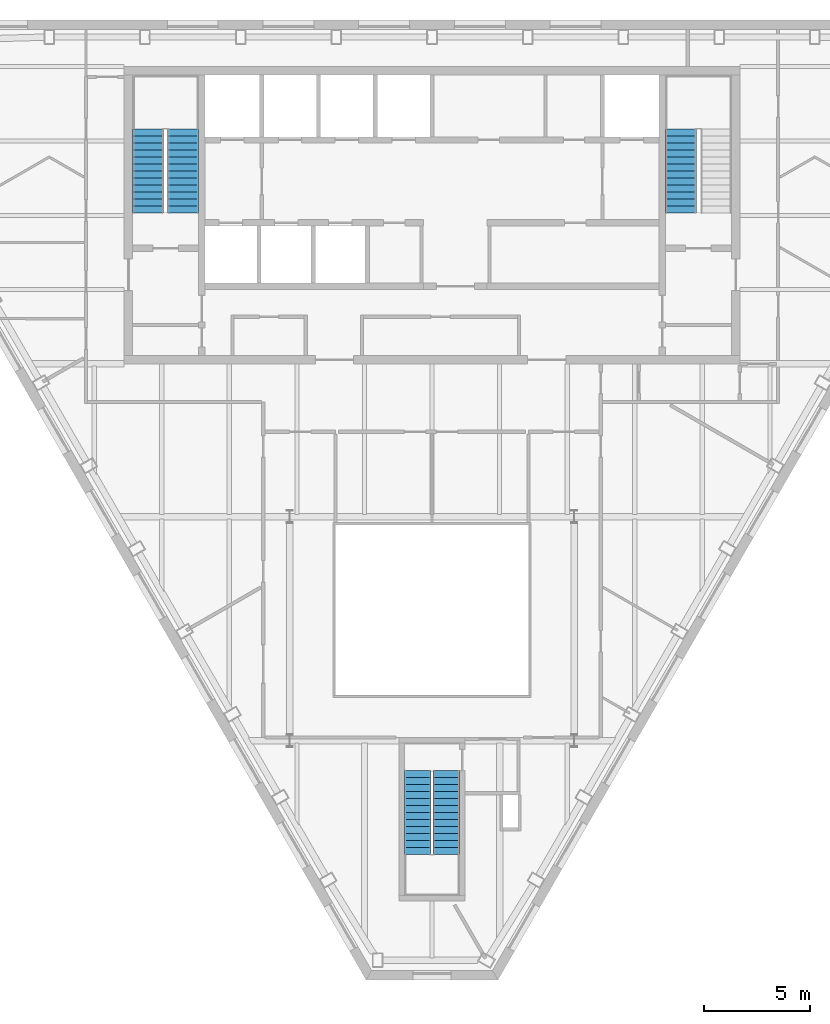
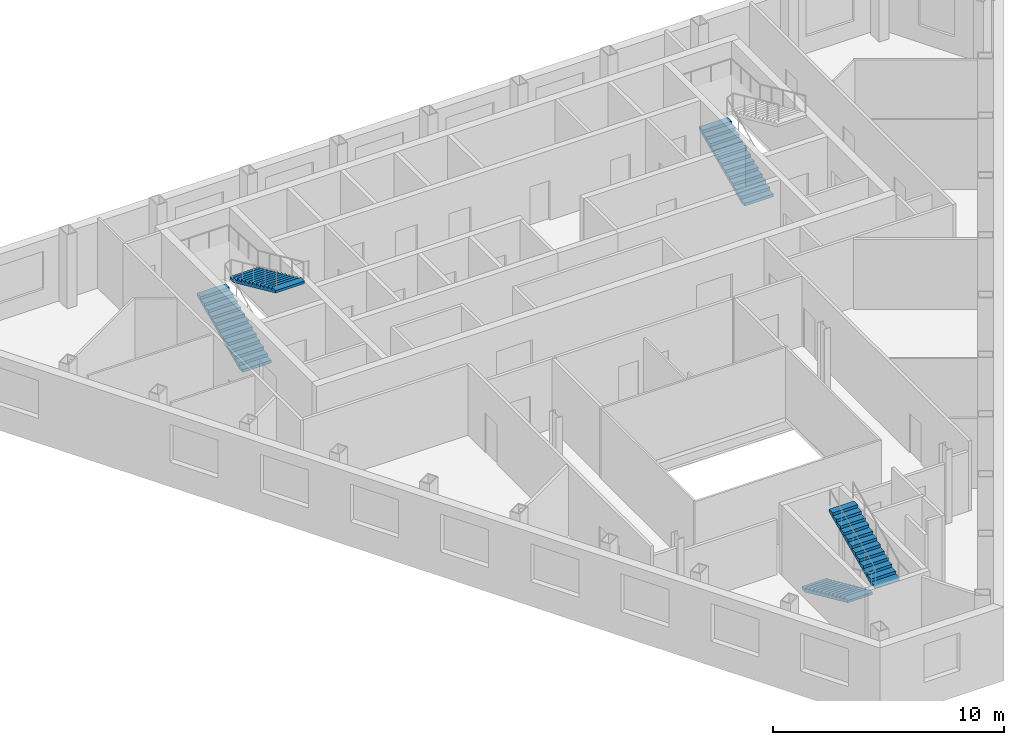
# One storey, part 8 of 10: 5 stair flights, 3 elements without a shape of their own.
"""IFC4 building model written with IfcOpenShell, lengths in metres."""

from ifc_helpers import new_model, si_unit, direction, frame, origin, place, context, subcontext, project, spatial, polygons, material, type_object, element, aggregate, save


model = new_model("IFC4")

# Units and contexts
model_context = context("Model", 3, precision=1e-05, world=origin(), true_north=direction((0.0, 1.0)))
body_context = subcontext(model_context, "Body", "Model", "MODEL_VIEW")
ifc_project = project(units=[si_unit("LENGTHUNIT", "METRE"), si_unit("AREAUNIT", "SQUARE_METRE"), si_unit("VOLUMEUNIT", "CUBIC_METRE"), si_unit("PLANEANGLEUNIT", "RADIAN"), si_unit("MASSUNIT", "GRAM", prefix="KILO")], contexts=[model_context])

# Site, building, storey
site_placement = place(None, origin())
site = spatial("IfcSite", under=ifc_project, at=site_placement, CompositionType="ELEMENT")
building_placement = place(site_placement, origin())
building = spatial("IfcBuilding", under=site, at=building_placement, Name="Njiva Tower", CompositionType="ELEMENT")
storey_placement = place(building_placement, frame((0.0, 0.0, 249.3)))
storey = spatial("IfcBuildingStorey", under=building, at=storey_placement, Name="L56", CompositionType="ELEMENT", Elevation=249.3)

# Stair, stair flights
ifc_material = material(Name="Concrete C40/50", Category="concrete")
stair_type_1 = type_object("IfcStairType", Name="ST1 Exit stair 1250", PredefinedType="HALF_TURN_STAIR", material=ifc_material)
stair_1_placement = place(storey_placement, origin())
stair_1 = element("IfcStair", 1, at=stair_1_placement, inside=storey, type_object=stair_type_1, Name="Stair C", PredefinedType="HALF_TURN_STAIR")
stair_flight_type_1 = type_object("IfcStairFlightType", Name="FL1 Stair flight 1250", PredefinedType="STRAIGHT", material=ifc_material)
stair_flight_1_placement = place(storey_placement, frame((-0.675, -15.16, 0.0), z_axis=(0.0, 0.0, 1.0), x_axis=(0.0, -1.0, 0.0)))
stair_flight_1 = element("IfcStairFlight", 2, at=stair_flight_1_placement, type_object=stair_flight_type_1, Name="ST-C flight 1", NumberOfRisers=13, NumberOfTreads=12, PredefinedType="STRAIGHT", RiserHeight=0.15, TreadLength=0.33, context=body_context, shape_type="Tessellation", body=[
    polygons([(0.0, 0.625, 0.0), (0.0, 0.3125, 0.0), (0.0, 0.0, 0.0), (0.0, -0.3125, 0.0), (0.0, -0.625, 0.0), (0.0, 0.625, 0.15), (0.0, 0.3125, 0.15), (0.0, 0.0, 0.15), (0.0, -0.3125, 0.15), (0.0, -0.625, 0.15), (0.33, 0.625, 0.15), (0.33, 0.3125, 0.15), (0.33, 0.0, 0.15), (0.33, -0.3125, 0.15), (0.33, -0.625, 0.15), (0.33, 0.625, 0.3), (0.33, 0.3125, 0.3), (0.33, 0.0, 0.3), (0.33, -0.3125, 0.3), (0.33, -0.625, 0.3), (0.66, 0.625, 0.3), (0.66, 0.3125, 0.3), (0.66, 0.0, 0.3), (0.66, -0.3125, 0.3), (0.66, -0.625, 0.3), (0.66, 0.625, 0.45), (0.66, 0.3125, 0.45), (0.66, 0.0, 0.45), (0.66, -0.3125, 0.45), (0.66, -0.625, 0.45), (0.99, 0.625, 0.45), (0.99, 0.3125, 0.45), (0.99, 0.0, 0.45), (0.99, -0.3125, 0.45), (0.99, -0.625, 0.45), (0.99, 0.625, 0.6), (0.99, 0.3125, 0.6), (0.99, 0.0, 0.6), (0.99, -0.3125, 0.6), (0.99, -0.625, 0.6), (1.32, 0.625, 0.6), (1.32, 0.3125, 0.6), (1.32, 0.0, 0.6), (1.32, -0.3125, 0.6), (1.32, -0.625, 0.6), (1.32, 0.625, 0.75), (1.32, 0.3125, 0.75), (1.32, 0.0, 0.75), (1.32, -0.3125, 0.75), (1.32, -0.625, 0.75), (1.65, 0.625, 0.75), (1.65, 0.3125, 0.75), (1.65, 0.0, 0.75), (1.65, -0.3125, 0.75), (1.65, -0.625, 0.75), (1.65, 0.625, 0.9), (1.65, 0.3125, 0.9), (1.65, 0.0, 0.9), (1.65, -0.3125, 0.9), (1.65, -0.625, 0.9), (1.98, 0.625, 0.9), (1.98, 0.3125, 0.9), (1.98, 0.0, 0.9), (1.98, -0.3125, 0.9), (1.98, -0.625, 0.9), (1.98, 0.625, 1.05), (1.98, 0.3125, 1.05), (1.98, 0.0, 1.05), (1.98, -0.3125, 1.05), (1.98, -0.625, 1.05), (2.31, 0.625, 1.05), (2.31, 0.3125, 1.05), (2.31, 0.0, 1.05), (2.31, -0.3125, 1.05), (2.31, -0.625, 1.05), (2.31, 0.625, 1.2), (2.31, 0.3125, 1.2), (2.31, 0.0, 1.2), (2.31, -0.3125, 1.2), (2.31, -0.625, 1.2), (2.64, 0.625, 1.2), (2.64, 0.3125, 1.2), (2.64, 0.0, 1.2), (2.64, -0.3125, 1.2), (2.64, -0.625, 1.2), (2.64, 0.625, 1.35), (2.64, 0.3125, 1.35), (2.64, 0.0, 1.35), (2.64, -0.3125, 1.35), (2.64, -0.625, 1.35), (2.97, 0.625, 1.35), (2.97, 0.3125, 1.35), (2.97, 0.0, 1.35), (2.97, -0.3125, 1.35), (2.97, -0.625, 1.35), (2.97, 0.625, 1.5), (2.97, 0.3125, 1.5), (2.97, 0.0, 1.5), (2.97, -0.3125, 1.5), (2.97, -0.625, 1.5), (3.3, 0.625, 1.5), (3.3, 0.3125, 1.5), (3.3, 0.0, 1.5), (3.3, -0.3125, 1.5), (3.3, -0.625, 1.5), (3.3, 0.625, 1.65), (3.3, 0.3125, 1.65), (3.3, 0.0, 1.65), (3.3, -0.3125, 1.65), (3.3, -0.625, 1.65), (3.63, 0.625, 1.65), (3.63, 0.3125, 1.65), (3.63, 0.0, 1.65), (3.63, -0.3125, 1.65), (3.63, -0.625, 1.65), (3.63, 0.625, 1.8), (3.63, 0.3125, 1.8), (3.63, 0.0, 1.8), (3.63, -0.3125, 1.8), (3.63, -0.625, 1.8), (3.96, 0.625, 1.8), (3.96, 0.3125, 1.8), (3.96, 0.0, 1.8), (3.96, -0.3125, 1.8), (3.96, -0.625, 1.8), (3.96, 0.625, 1.6682), (3.96, 0.3125, 1.6682), (3.96, 0.0, 1.6682), (3.96, -0.3125, 1.6682), (3.96, -0.625, 1.6682), (0.29, 0.625, 0.0), (0.29, 0.3125, 0.0), (0.29, 0.0, 0.0), (0.29, -0.3125, 0.0), (0.29, -0.625, 0.0)], [[[1, 6, 11, 16, 21, 26, 31, 36, 41, 46, 51, 56, 61, 66, 71, 76, 81, 86, 91, 96, 101, 106, 111, 116, 121, 126, 131]], [[135, 130, 125, 120, 115, 110, 105, 100, 95, 90, 85, 80, 75, 70, 65, 60, 55, 50, 45, 40, 35, 30, 25, 20, 15, 10, 5]], [[6, 1, 2, 7]], [[7, 2, 3, 8]], [[8, 3, 4, 9]], [[9, 4, 5, 10]], [[11, 6, 7, 12]], [[12, 7, 8, 13]], [[13, 8, 9, 14]], [[14, 9, 10, 15]], [[16, 11, 12, 17]], [[17, 12, 13, 18]], [[18, 13, 14, 19]], [[19, 14, 15, 20]], [[21, 16, 17, 22]], [[22, 17, 18, 23]], [[23, 18, 19, 24]], [[24, 19, 20, 25]], [[26, 21, 22, 27]], [[27, 22, 23, 28]], [[28, 23, 24, 29]], [[29, 24, 25, 30]], [[31, 26, 27, 32]], [[32, 27, 28, 33]], [[33, 28, 29, 34]], [[34, 29, 30, 35]], [[36, 31, 32, 37]], [[37, 32, 33, 38]], [[38, 33, 34, 39]], [[39, 34, 35, 40]], [[41, 36, 37, 42]], [[42, 37, 38, 43]], [[43, 38, 39, 44]], [[44, 39, 40, 45]], [[46, 41, 42, 47]], [[47, 42, 43, 48]], [[48, 43, 44, 49]], [[49, 44, 45, 50]], [[51, 46, 47, 52]], [[52, 47, 48, 53]], [[53, 48, 49, 54]], [[54, 49, 50, 55]], [[56, 51, 52, 57]], [[57, 52, 53, 58]], [[58, 53, 54, 59]], [[59, 54, 55, 60]], [[61, 56, 57, 62]], [[62, 57, 58, 63]], [[63, 58, 59, 64]], [[64, 59, 60, 65]], [[66, 61, 62, 67]], [[67, 62, 63, 68]], [[68, 63, 64, 69]], [[69, 64, 65, 70]], [[71, 66, 67, 72]], [[72, 67, 68, 73]], [[73, 68, 69, 74]], [[74, 69, 70, 75]], [[76, 71, 72, 77]], [[77, 72, 73, 78]], [[78, 73, 74, 79]], [[79, 74, 75, 80]], [[81, 76, 77, 82]], [[82, 77, 78, 83]], [[83, 78, 79, 84]], [[84, 79, 80, 85]], [[86, 81, 82, 87]], [[87, 82, 83, 88]], [[88, 83, 84, 89]], [[89, 84, 85, 90]], [[91, 86, 87, 92]], [[92, 87, 88, 93]], [[93, 88, 89, 94]], [[94, 89, 90, 95]], [[96, 91, 92, 97]], [[97, 92, 93, 98]], [[98, 93, 94, 99]], [[99, 94, 95, 100]], [[101, 96, 97, 102]], [[102, 97, 98, 103]], [[103, 98, 99, 104]], [[104, 99, 100, 105]], [[106, 101, 102, 107]], [[107, 102, 103, 108]], [[108, 103, 104, 109]], [[109, 104, 105, 110]], [[111, 106, 107, 112]], [[112, 107, 108, 113]], [[113, 108, 109, 114]], [[114, 109, 110, 115]], [[116, 111, 112, 117]], [[117, 112, 113, 118]], [[118, 113, 114, 119]], [[119, 114, 115, 120]], [[121, 116, 117, 122]], [[122, 117, 118, 123]], [[123, 118, 119, 124]], [[124, 119, 120, 125]], [[126, 121, 122, 127]], [[127, 122, 123, 128]], [[128, 123, 124, 129]], [[129, 124, 125, 130]], [[131, 126, 127, 132]], [[132, 127, 128, 133]], [[133, 128, 129, 134]], [[134, 129, 130, 135]], [[1, 131, 132, 2]], [[2, 132, 133, 3]], [[3, 133, 134, 4]], [[4, 134, 135, 5]]], closed=True),
])
stair_flight_2_placement = place(storey_placement, frame((0.675, -19.12, 1.95), z_axis=(0.0, 0.0, 1.0), x_axis=(0.0, 1.0, 0.0)))
stair_flight_2 = element("IfcStairFlight", 3, at=stair_flight_2_placement, type_object=stair_flight_type_1, Name="ST-C flight 2", NumberOfRisers=13, NumberOfTreads=12, PredefinedType="STRAIGHT", RiserHeight=0.15, TreadLength=0.33, context=body_context, shape_type="Tessellation", body=[
    polygons([(0.0, 0.625, 0.0), (0.0, 0.3125, 0.0), (0.0, 0.0, 0.0), (0.0, -0.3125, 0.0), (0.0, -0.625, 0.0), (0.0, 0.625, 0.15), (0.0, 0.3125, 0.15), (0.0, 0.0, 0.15), (0.0, -0.3125, 0.15), (0.0, -0.625, 0.15), (0.33, 0.625, 0.15), (0.33, 0.3125, 0.15), (0.33, 0.0, 0.15), (0.33, -0.3125, 0.15), (0.33, -0.625, 0.15), (0.33, 0.625, 0.3), (0.33, 0.3125, 0.3), (0.33, 0.0, 0.3), (0.33, -0.3125, 0.3), (0.33, -0.625, 0.3), (0.66, 0.625, 0.3), (0.66, 0.3125, 0.3), (0.66, 0.0, 0.3), (0.66, -0.3125, 0.3), (0.66, -0.625, 0.3), (0.66, 0.625, 0.45), (0.66, 0.3125, 0.45), (0.66, 0.0, 0.45), (0.66, -0.3125, 0.45), (0.66, -0.625, 0.45), (0.99, 0.625, 0.45), (0.99, 0.3125, 0.45), (0.99, 0.0, 0.45), (0.99, -0.3125, 0.45), (0.99, -0.625, 0.45), (0.99, 0.625, 0.6), (0.99, 0.3125, 0.6), (0.99, 0.0, 0.6), (0.99, -0.3125, 0.6), (0.99, -0.625, 0.6), (1.32, 0.625, 0.6), (1.32, 0.3125, 0.6), (1.32, 0.0, 0.6), (1.32, -0.3125, 0.6), (1.32, -0.625, 0.6), (1.32, 0.625, 0.75), (1.32, 0.3125, 0.75), (1.32, 0.0, 0.75), (1.32, -0.3125, 0.75), (1.32, -0.625, 0.75), (1.65, 0.625, 0.75), (1.65, 0.3125, 0.75), (1.65, 0.0, 0.75), (1.65, -0.3125, 0.75), (1.65, -0.625, 0.75), (1.65, 0.625, 0.9), (1.65, 0.3125, 0.9), (1.65, 0.0, 0.9), (1.65, -0.3125, 0.9), (1.65, -0.625, 0.9), (1.98, 0.625, 0.9), (1.98, 0.3125, 0.9), (1.98, 0.0, 0.9), (1.98, -0.3125, 0.9), (1.98, -0.625, 0.9), (1.98, 0.625, 1.05), (1.98, 0.3125, 1.05), (1.98, 0.0, 1.05), (1.98, -0.3125, 1.05), (1.98, -0.625, 1.05), (2.31, 0.625, 1.05), (2.31, 0.3125, 1.05), (2.31, 0.0, 1.05), (2.31, -0.3125, 1.05), (2.31, -0.625, 1.05), (2.31, 0.625, 1.2), (2.31, 0.3125, 1.2), (2.31, 0.0, 1.2), (2.31, -0.3125, 1.2), (2.31, -0.625, 1.2), (2.64, 0.625, 1.2), (2.64, 0.3125, 1.2), (2.64, 0.0, 1.2), (2.64, -0.3125, 1.2), (2.64, -0.625, 1.2), (2.64, 0.625, 1.35), (2.64, 0.3125, 1.35), (2.64, 0.0, 1.35), (2.64, -0.3125, 1.35), (2.64, -0.625, 1.35), (2.97, 0.625, 1.35), (2.97, 0.3125, 1.35), (2.97, 0.0, 1.35), (2.97, -0.3125, 1.35), (2.97, -0.625, 1.35), (2.97, 0.625, 1.5), (2.97, 0.3125, 1.5), (2.97, 0.0, 1.5), (2.97, -0.3125, 1.5), (2.97, -0.625, 1.5), (3.3, 0.625, 1.5), (3.3, 0.3125, 1.5), (3.3, 0.0, 1.5), (3.3, -0.3125, 1.5), (3.3, -0.625, 1.5), (3.3, 0.625, 1.65), (3.3, 0.3125, 1.65), (3.3, 0.0, 1.65), (3.3, -0.3125, 1.65), (3.3, -0.625, 1.65), (3.63, 0.625, 1.65), (3.63, 0.3125, 1.65), (3.63, 0.0, 1.65), (3.63, -0.3125, 1.65), (3.63, -0.625, 1.65), (3.63, 0.625, 1.8), (3.63, 0.3125, 1.8), (3.63, 0.0, 1.8), (3.63, -0.3125, 1.8), (3.63, -0.625, 1.8), (3.96, 0.625, 1.8), (3.96, 0.3125, 1.8), (3.96, 0.0, 1.8), (3.96, -0.3125, 1.8), (3.96, -0.625, 1.8), (3.96, 0.625, 1.6682), (3.96, 0.3125, 1.6682), (3.96, 0.0, 1.6682), (3.96, -0.3125, 1.6682), (3.96, -0.625, 1.6682), (0.29, 0.625, 0.0), (0.29, 0.3125, 0.0), (0.29, 0.0, 0.0), (0.29, -0.3125, 0.0), (0.29, -0.625, 0.0)], [[[1, 6, 11, 16, 21, 26, 31, 36, 41, 46, 51, 56, 61, 66, 71, 76, 81, 86, 91, 96, 101, 106, 111, 116, 121, 126, 131]], [[135, 130, 125, 120, 115, 110, 105, 100, 95, 90, 85, 80, 75, 70, 65, 60, 55, 50, 45, 40, 35, 30, 25, 20, 15, 10, 5]], [[6, 1, 2, 7]], [[7, 2, 3, 8]], [[8, 3, 4, 9]], [[9, 4, 5, 10]], [[11, 6, 7, 12]], [[12, 7, 8, 13]], [[13, 8, 9, 14]], [[14, 9, 10, 15]], [[16, 11, 12, 17]], [[17, 12, 13, 18]], [[18, 13, 14, 19]], [[19, 14, 15, 20]], [[21, 16, 17, 22]], [[22, 17, 18, 23]], [[23, 18, 19, 24]], [[24, 19, 20, 25]], [[26, 21, 22, 27]], [[27, 22, 23, 28]], [[28, 23, 24, 29]], [[29, 24, 25, 30]], [[31, 26, 27, 32]], [[32, 27, 28, 33]], [[33, 28, 29, 34]], [[34, 29, 30, 35]], [[36, 31, 32, 37]], [[37, 32, 33, 38]], [[38, 33, 34, 39]], [[39, 34, 35, 40]], [[41, 36, 37, 42]], [[42, 37, 38, 43]], [[43, 38, 39, 44]], [[44, 39, 40, 45]], [[46, 41, 42, 47]], [[47, 42, 43, 48]], [[48, 43, 44, 49]], [[49, 44, 45, 50]], [[51, 46, 47, 52]], [[52, 47, 48, 53]], [[53, 48, 49, 54]], [[54, 49, 50, 55]], [[56, 51, 52, 57]], [[57, 52, 53, 58]], [[58, 53, 54, 59]], [[59, 54, 55, 60]], [[61, 56, 57, 62]], [[62, 57, 58, 63]], [[63, 58, 59, 64]], [[64, 59, 60, 65]], [[66, 61, 62, 67]], [[67, 62, 63, 68]], [[68, 63, 64, 69]], [[69, 64, 65, 70]], [[71, 66, 67, 72]], [[72, 67, 68, 73]], [[73, 68, 69, 74]], [[74, 69, 70, 75]], [[76, 71, 72, 77]], [[77, 72, 73, 78]], [[78, 73, 74, 79]], [[79, 74, 75, 80]], [[81, 76, 77, 82]], [[82, 77, 78, 83]], [[83, 78, 79, 84]], [[84, 79, 80, 85]], [[86, 81, 82, 87]], [[87, 82, 83, 88]], [[88, 83, 84, 89]], [[89, 84, 85, 90]], [[91, 86, 87, 92]], [[92, 87, 88, 93]], [[93, 88, 89, 94]], [[94, 89, 90, 95]], [[96, 91, 92, 97]], [[97, 92, 93, 98]], [[98, 93, 94, 99]], [[99, 94, 95, 100]], [[101, 96, 97, 102]], [[102, 97, 98, 103]], [[103, 98, 99, 104]], [[104, 99, 100, 105]], [[106, 101, 102, 107]], [[107, 102, 103, 108]], [[108, 103, 104, 109]], [[109, 104, 105, 110]], [[111, 106, 107, 112]], [[112, 107, 108, 113]], [[113, 108, 109, 114]], [[114, 109, 110, 115]], [[116, 111, 112, 117]], [[117, 112, 113, 118]], [[118, 113, 114, 119]], [[119, 114, 115, 120]], [[121, 116, 117, 122]], [[122, 117, 118, 123]], [[123, 118, 119, 124]], [[124, 119, 120, 125]], [[126, 121, 122, 127]], [[127, 122, 123, 128]], [[128, 123, 124, 129]], [[129, 124, 125, 130]], [[131, 126, 127, 132]], [[132, 127, 128, 133]], [[133, 128, 129, 134]], [[134, 129, 130, 135]], [[1, 131, 132, 2]], [[2, 132, 133, 3]], [[3, 133, 134, 4]], [[4, 134, 135, 5]]], closed=True),
])
aggregate(stair_1, [stair_flight_1, stair_flight_2])

stair_type_2 = type_object("IfcStairType", Name="ST3 Exit stair 1450", PredefinedType="HALF_TURN_STAIR", material=ifc_material)
stair_2_placement = place(storey_placement, origin())
stair_2 = element("IfcStair", 4, at=stair_2_placement, inside=storey, type_object=stair_type_2, Name="Stair A", PredefinedType="HALF_TURN_STAIR")
stair_flight_type_2 = type_object("IfcStairFlightType", Name="FL3 Stair flight 1450", PredefinedType="STRAIGHT", material=ifc_material)
stair_flight_3_placement = place(storey_placement, frame((-13.375, 11.1, 0.0), z_axis=(0.0, 0.0, 1.0), x_axis=(0.0, 1.0, 0.0)))
stair_flight_3 = element("IfcStairFlight", 5, at=stair_flight_3_placement, type_object=stair_flight_type_2, Name="ST-A flight 1", NumberOfRisers=13, NumberOfTreads=12, PredefinedType="STRAIGHT", RiserHeight=0.15, TreadLength=0.33, context=body_context, shape_type="Tessellation", body=[
    polygons([(0.0, 0.725, 0.0), (0.0, 0.3625, 0.0), (0.0, 0.0, 0.0), (0.0, -0.3625, 0.0), (0.0, -0.725, 0.0), (0.0, 0.725, 0.15), (0.0, 0.3625, 0.15), (0.0, 0.0, 0.15), (0.0, -0.3625, 0.15), (0.0, -0.725, 0.15), (0.33, 0.725, 0.15), (0.33, 0.3625, 0.15), (0.33, 0.0, 0.15), (0.33, -0.3625, 0.15), (0.33, -0.725, 0.15), (0.33, 0.725, 0.3), (0.33, 0.3625, 0.3), (0.33, 0.0, 0.3), (0.33, -0.3625, 0.3), (0.33, -0.725, 0.3), (0.66, 0.725, 0.3), (0.66, 0.3625, 0.3), (0.66, 0.0, 0.3), (0.66, -0.3625, 0.3), (0.66, -0.725, 0.3), (0.66, 0.725, 0.45), (0.66, 0.3625, 0.45), (0.66, 0.0, 0.45), (0.66, -0.3625, 0.45), (0.66, -0.725, 0.45), (0.99, 0.725, 0.45), (0.99, 0.3625, 0.45), (0.99, 0.0, 0.45), (0.99, -0.3625, 0.45), (0.99, -0.725, 0.45), (0.99, 0.725, 0.6), (0.99, 0.3625, 0.6), (0.99, 0.0, 0.6), (0.99, -0.3625, 0.6), (0.99, -0.725, 0.6), (1.32, 0.725, 0.6), (1.32, 0.3625, 0.6), (1.32, 0.0, 0.6), (1.32, -0.3625, 0.6), (1.32, -0.725, 0.6), (1.32, 0.725, 0.75), (1.32, 0.3625, 0.75), (1.32, 0.0, 0.75), (1.32, -0.3625, 0.75), (1.32, -0.725, 0.75), (1.65, 0.725, 0.75), (1.65, 0.3625, 0.75), (1.65, 0.0, 0.75), (1.65, -0.3625, 0.75), (1.65, -0.725, 0.75), (1.65, 0.725, 0.9), (1.65, 0.3625, 0.9), (1.65, 0.0, 0.9), (1.65, -0.3625, 0.9), (1.65, -0.725, 0.9), (1.98, 0.725, 0.9), (1.98, 0.3625, 0.9), (1.98, 0.0, 0.9), (1.98, -0.3625, 0.9), (1.98, -0.725, 0.9), (1.98, 0.725, 1.05), (1.98, 0.3625, 1.05), (1.98, 0.0, 1.05), (1.98, -0.3625, 1.05), (1.98, -0.725, 1.05), (2.31, 0.725, 1.05), (2.31, 0.3625, 1.05), (2.31, 0.0, 1.05), (2.31, -0.3625, 1.05), (2.31, -0.725, 1.05), (2.31, 0.725, 1.2), (2.31, 0.3625, 1.2), (2.31, 0.0, 1.2), (2.31, -0.3625, 1.2), (2.31, -0.725, 1.2), (2.64, 0.725, 1.2), (2.64, 0.3625, 1.2), (2.64, 0.0, 1.2), (2.64, -0.3625, 1.2), (2.64, -0.725, 1.2), (2.64, 0.725, 1.35), (2.64, 0.3625, 1.35), (2.64, 0.0, 1.35), (2.64, -0.3625, 1.35), (2.64, -0.725, 1.35), (2.97, 0.725, 1.35), (2.97, 0.3625, 1.35), (2.97, 0.0, 1.35), (2.97, -0.3625, 1.35), (2.97, -0.725, 1.35), (2.97, 0.725, 1.5), (2.97, 0.3625, 1.5), (2.97, 0.0, 1.5), (2.97, -0.3625, 1.5), (2.97, -0.725, 1.5), (3.3, 0.725, 1.5), (3.3, 0.3625, 1.5), (3.3, 0.0, 1.5), (3.3, -0.3625, 1.5), (3.3, -0.725, 1.5), (3.3, 0.725, 1.65), (3.3, 0.3625, 1.65), (3.3, 0.0, 1.65), (3.3, -0.3625, 1.65), (3.3, -0.725, 1.65), (3.63, 0.725, 1.65), (3.63, 0.3625, 1.65), (3.63, 0.0, 1.65), (3.63, -0.3625, 1.65), (3.63, -0.725, 1.65), (3.63, 0.725, 1.8), (3.63, 0.3625, 1.8), (3.63, 0.0, 1.8), (3.63, -0.3625, 1.8), (3.63, -0.725, 1.8), (3.96, 0.725, 1.8), (3.96, 0.3625, 1.8), (3.96, 0.0, 1.8), (3.96, -0.3625, 1.8), (3.96, -0.725, 1.8), (3.96, 0.725, 1.6682), (3.96, 0.3625, 1.6682), (3.96, 0.0, 1.6682), (3.96, -0.3625, 1.6682), (3.96, -0.725, 1.6682), (0.29, 0.725, 0.0), (0.29, 0.3625, 0.0), (0.29, 0.0, 0.0), (0.29, -0.3625, 0.0), (0.29, -0.725, 0.0)], [[[1, 6, 11, 16, 21, 26, 31, 36, 41, 46, 51, 56, 61, 66, 71, 76, 81, 86, 91, 96, 101, 106, 111, 116, 121, 126, 131]], [[135, 130, 125, 120, 115, 110, 105, 100, 95, 90, 85, 80, 75, 70, 65, 60, 55, 50, 45, 40, 35, 30, 25, 20, 15, 10, 5]], [[6, 1, 2, 7]], [[7, 2, 3, 8]], [[8, 3, 4, 9]], [[9, 4, 5, 10]], [[11, 6, 7, 12]], [[12, 7, 8, 13]], [[13, 8, 9, 14]], [[14, 9, 10, 15]], [[16, 11, 12, 17]], [[17, 12, 13, 18]], [[18, 13, 14, 19]], [[19, 14, 15, 20]], [[21, 16, 17, 22]], [[22, 17, 18, 23]], [[23, 18, 19, 24]], [[24, 19, 20, 25]], [[26, 21, 22, 27]], [[27, 22, 23, 28]], [[28, 23, 24, 29]], [[29, 24, 25, 30]], [[31, 26, 27, 32]], [[32, 27, 28, 33]], [[33, 28, 29, 34]], [[34, 29, 30, 35]], [[36, 31, 32, 37]], [[37, 32, 33, 38]], [[38, 33, 34, 39]], [[39, 34, 35, 40]], [[41, 36, 37, 42]], [[42, 37, 38, 43]], [[43, 38, 39, 44]], [[44, 39, 40, 45]], [[46, 41, 42, 47]], [[47, 42, 43, 48]], [[48, 43, 44, 49]], [[49, 44, 45, 50]], [[51, 46, 47, 52]], [[52, 47, 48, 53]], [[53, 48, 49, 54]], [[54, 49, 50, 55]], [[56, 51, 52, 57]], [[57, 52, 53, 58]], [[58, 53, 54, 59]], [[59, 54, 55, 60]], [[61, 56, 57, 62]], [[62, 57, 58, 63]], [[63, 58, 59, 64]], [[64, 59, 60, 65]], [[66, 61, 62, 67]], [[67, 62, 63, 68]], [[68, 63, 64, 69]], [[69, 64, 65, 70]], [[71, 66, 67, 72]], [[72, 67, 68, 73]], [[73, 68, 69, 74]], [[74, 69, 70, 75]], [[76, 71, 72, 77]], [[77, 72, 73, 78]], [[78, 73, 74, 79]], [[79, 74, 75, 80]], [[81, 76, 77, 82]], [[82, 77, 78, 83]], [[83, 78, 79, 84]], [[84, 79, 80, 85]], [[86, 81, 82, 87]], [[87, 82, 83, 88]], [[88, 83, 84, 89]], [[89, 84, 85, 90]], [[91, 86, 87, 92]], [[92, 87, 88, 93]], [[93, 88, 89, 94]], [[94, 89, 90, 95]], [[96, 91, 92, 97]], [[97, 92, 93, 98]], [[98, 93, 94, 99]], [[99, 94, 95, 100]], [[101, 96, 97, 102]], [[102, 97, 98, 103]], [[103, 98, 99, 104]], [[104, 99, 100, 105]], [[106, 101, 102, 107]], [[107, 102, 103, 108]], [[108, 103, 104, 109]], [[109, 104, 105, 110]], [[111, 106, 107, 112]], [[112, 107, 108, 113]], [[113, 108, 109, 114]], [[114, 109, 110, 115]], [[116, 111, 112, 117]], [[117, 112, 113, 118]], [[118, 113, 114, 119]], [[119, 114, 115, 120]], [[121, 116, 117, 122]], [[122, 117, 118, 123]], [[123, 118, 119, 124]], [[124, 119, 120, 125]], [[126, 121, 122, 127]], [[127, 122, 123, 128]], [[128, 123, 124, 129]], [[129, 124, 125, 130]], [[131, 126, 127, 132]], [[132, 127, 128, 133]], [[133, 128, 129, 134]], [[134, 129, 130, 135]], [[1, 131, 132, 2]], [[2, 132, 133, 3]], [[3, 133, 134, 4]], [[4, 134, 135, 5]]], closed=True),
])
stair_flight_4_placement = place(storey_placement, frame((-11.725, 15.06, 1.95), z_axis=(0.0, 0.0, 1.0), x_axis=(0.0, -1.0, 0.0)))
stair_flight_4 = element("IfcStairFlight", 6, at=stair_flight_4_placement, type_object=stair_flight_type_2, Name="ST-A flight 2", NumberOfRisers=13, NumberOfTreads=12, PredefinedType="STRAIGHT", RiserHeight=0.15, TreadLength=0.33, context=body_context, shape_type="Tessellation", body=[
    polygons([(0.0, 0.725, 0.0), (0.0, 0.3625, 0.0), (0.0, 0.0, 0.0), (0.0, -0.3625, 0.0), (0.0, -0.725, 0.0), (0.0, 0.725, 0.15), (0.0, 0.3625, 0.15), (0.0, 0.0, 0.15), (0.0, -0.3625, 0.15), (0.0, -0.725, 0.15), (0.33, 0.725, 0.15), (0.33, 0.3625, 0.15), (0.33, 0.0, 0.15), (0.33, -0.3625, 0.15), (0.33, -0.725, 0.15), (0.33, 0.725, 0.3), (0.33, 0.3625, 0.3), (0.33, 0.0, 0.3), (0.33, -0.3625, 0.3), (0.33, -0.725, 0.3), (0.66, 0.725, 0.3), (0.66, 0.3625, 0.3), (0.66, 0.0, 0.3), (0.66, -0.3625, 0.3), (0.66, -0.725, 0.3), (0.66, 0.725, 0.45), (0.66, 0.3625, 0.45), (0.66, 0.0, 0.45), (0.66, -0.3625, 0.45), (0.66, -0.725, 0.45), (0.99, 0.725, 0.45), (0.99, 0.3625, 0.45), (0.99, 0.0, 0.45), (0.99, -0.3625, 0.45), (0.99, -0.725, 0.45), (0.99, 0.725, 0.6), (0.99, 0.3625, 0.6), (0.99, 0.0, 0.6), (0.99, -0.3625, 0.6), (0.99, -0.725, 0.6), (1.32, 0.725, 0.6), (1.32, 0.3625, 0.6), (1.32, 0.0, 0.6), (1.32, -0.3625, 0.6), (1.32, -0.725, 0.6), (1.32, 0.725, 0.75), (1.32, 0.3625, 0.75), (1.32, 0.0, 0.75), (1.32, -0.3625, 0.75), (1.32, -0.725, 0.75), (1.65, 0.725, 0.75), (1.65, 0.3625, 0.75), (1.65, 0.0, 0.75), (1.65, -0.3625, 0.75), (1.65, -0.725, 0.75), (1.65, 0.725, 0.9), (1.65, 0.3625, 0.9), (1.65, 0.0, 0.9), (1.65, -0.3625, 0.9), (1.65, -0.725, 0.9), (1.98, 0.725, 0.9), (1.98, 0.3625, 0.9), (1.98, 0.0, 0.9), (1.98, -0.3625, 0.9), (1.98, -0.725, 0.9), (1.98, 0.725, 1.05), (1.98, 0.3625, 1.05), (1.98, 0.0, 1.05), (1.98, -0.3625, 1.05), (1.98, -0.725, 1.05), (2.31, 0.725, 1.05), (2.31, 0.3625, 1.05), (2.31, 0.0, 1.05), (2.31, -0.3625, 1.05), (2.31, -0.725, 1.05), (2.31, 0.725, 1.2), (2.31, 0.3625, 1.2), (2.31, 0.0, 1.2), (2.31, -0.3625, 1.2), (2.31, -0.725, 1.2), (2.64, 0.725, 1.2), (2.64, 0.3625, 1.2), (2.64, 0.0, 1.2), (2.64, -0.3625, 1.2), (2.64, -0.725, 1.2), (2.64, 0.725, 1.35), (2.64, 0.3625, 1.35), (2.64, 0.0, 1.35), (2.64, -0.3625, 1.35), (2.64, -0.725, 1.35), (2.97, 0.725, 1.35), (2.97, 0.3625, 1.35), (2.97, 0.0, 1.35), (2.97, -0.3625, 1.35), (2.97, -0.725, 1.35), (2.97, 0.725, 1.5), (2.97, 0.3625, 1.5), (2.97, 0.0, 1.5), (2.97, -0.3625, 1.5), (2.97, -0.725, 1.5), (3.3, 0.725, 1.5), (3.3, 0.3625, 1.5), (3.3, 0.0, 1.5), (3.3, -0.3625, 1.5), (3.3, -0.725, 1.5), (3.3, 0.725, 1.65), (3.3, 0.3625, 1.65), (3.3, 0.0, 1.65), (3.3, -0.3625, 1.65), (3.3, -0.725, 1.65), (3.63, 0.725, 1.65), (3.63, 0.3625, 1.65), (3.63, 0.0, 1.65), (3.63, -0.3625, 1.65), (3.63, -0.725, 1.65), (3.63, 0.725, 1.8), (3.63, 0.3625, 1.8), (3.63, 0.0, 1.8), (3.63, -0.3625, 1.8), (3.63, -0.725, 1.8), (3.96, 0.725, 1.8), (3.96, 0.3625, 1.8), (3.96, 0.0, 1.8), (3.96, -0.3625, 1.8), (3.96, -0.725, 1.8), (3.96, 0.725, 1.6682), (3.96, 0.3625, 1.6682), (3.96, 0.0, 1.6682), (3.96, -0.3625, 1.6682), (3.96, -0.725, 1.6682), (0.29, 0.725, 0.0), (0.29, 0.3625, 0.0), (0.29, 0.0, 0.0), (0.29, -0.3625, 0.0), (0.29, -0.725, 0.0)], [[[1, 6, 11, 16, 21, 26, 31, 36, 41, 46, 51, 56, 61, 66, 71, 76, 81, 86, 91, 96, 101, 106, 111, 116, 121, 126, 131]], [[135, 130, 125, 120, 115, 110, 105, 100, 95, 90, 85, 80, 75, 70, 65, 60, 55, 50, 45, 40, 35, 30, 25, 20, 15, 10, 5]], [[6, 1, 2, 7]], [[7, 2, 3, 8]], [[8, 3, 4, 9]], [[9, 4, 5, 10]], [[11, 6, 7, 12]], [[12, 7, 8, 13]], [[13, 8, 9, 14]], [[14, 9, 10, 15]], [[16, 11, 12, 17]], [[17, 12, 13, 18]], [[18, 13, 14, 19]], [[19, 14, 15, 20]], [[21, 16, 17, 22]], [[22, 17, 18, 23]], [[23, 18, 19, 24]], [[24, 19, 20, 25]], [[26, 21, 22, 27]], [[27, 22, 23, 28]], [[28, 23, 24, 29]], [[29, 24, 25, 30]], [[31, 26, 27, 32]], [[32, 27, 28, 33]], [[33, 28, 29, 34]], [[34, 29, 30, 35]], [[36, 31, 32, 37]], [[37, 32, 33, 38]], [[38, 33, 34, 39]], [[39, 34, 35, 40]], [[41, 36, 37, 42]], [[42, 37, 38, 43]], [[43, 38, 39, 44]], [[44, 39, 40, 45]], [[46, 41, 42, 47]], [[47, 42, 43, 48]], [[48, 43, 44, 49]], [[49, 44, 45, 50]], [[51, 46, 47, 52]], [[52, 47, 48, 53]], [[53, 48, 49, 54]], [[54, 49, 50, 55]], [[56, 51, 52, 57]], [[57, 52, 53, 58]], [[58, 53, 54, 59]], [[59, 54, 55, 60]], [[61, 56, 57, 62]], [[62, 57, 58, 63]], [[63, 58, 59, 64]], [[64, 59, 60, 65]], [[66, 61, 62, 67]], [[67, 62, 63, 68]], [[68, 63, 64, 69]], [[69, 64, 65, 70]], [[71, 66, 67, 72]], [[72, 67, 68, 73]], [[73, 68, 69, 74]], [[74, 69, 70, 75]], [[76, 71, 72, 77]], [[77, 72, 73, 78]], [[78, 73, 74, 79]], [[79, 74, 75, 80]], [[81, 76, 77, 82]], [[82, 77, 78, 83]], [[83, 78, 79, 84]], [[84, 79, 80, 85]], [[86, 81, 82, 87]], [[87, 82, 83, 88]], [[88, 83, 84, 89]], [[89, 84, 85, 90]], [[91, 86, 87, 92]], [[92, 87, 88, 93]], [[93, 88, 89, 94]], [[94, 89, 90, 95]], [[96, 91, 92, 97]], [[97, 92, 93, 98]], [[98, 93, 94, 99]], [[99, 94, 95, 100]], [[101, 96, 97, 102]], [[102, 97, 98, 103]], [[103, 98, 99, 104]], [[104, 99, 100, 105]], [[106, 101, 102, 107]], [[107, 102, 103, 108]], [[108, 103, 104, 109]], [[109, 104, 105, 110]], [[111, 106, 107, 112]], [[112, 107, 108, 113]], [[113, 108, 109, 114]], [[114, 109, 110, 115]], [[116, 111, 112, 117]], [[117, 112, 113, 118]], [[118, 113, 114, 119]], [[119, 114, 115, 120]], [[121, 116, 117, 122]], [[122, 117, 118, 123]], [[123, 118, 119, 124]], [[124, 119, 120, 125]], [[126, 121, 122, 127]], [[127, 122, 123, 128]], [[128, 123, 124, 129]], [[129, 124, 125, 130]], [[131, 126, 127, 132]], [[132, 127, 128, 133]], [[133, 128, 129, 134]], [[134, 129, 130, 135]], [[1, 131, 132, 2]], [[2, 132, 133, 3]], [[3, 133, 134, 4]], [[4, 134, 135, 5]]], closed=True),
])
aggregate(stair_2, [stair_flight_3, stair_flight_4])

# Stair, stair flight
stair_3_placement = place(storey_placement, origin())
stair_3 = element("IfcStair", 7, at=stair_3_placement, inside=storey, type_object=stair_type_2, Name="Stair B", PredefinedType="HALF_TURN_STAIR")
stair_flight_5_placement = place(storey_placement, frame((11.725, 11.1, 0.0), z_axis=(0.0, 0.0, 1.0), x_axis=(0.0, 1.0, 0.0)))
stair_flight_5 = element("IfcStairFlight", 8, at=stair_flight_5_placement, type_object=stair_flight_type_2, Name="ST-B flight 1", NumberOfRisers=13, NumberOfTreads=12, PredefinedType="STRAIGHT", RiserHeight=0.15, TreadLength=0.33, context=body_context, shape_type="Tessellation", body=[
    polygons([(0.0, 0.725, 0.0), (0.0, 0.3625, 0.0), (0.0, 0.0, 0.0), (0.0, -0.3625, 0.0), (0.0, -0.725, 0.0), (0.0, 0.725, 0.15), (0.0, 0.3625, 0.15), (0.0, 0.0, 0.15), (0.0, -0.3625, 0.15), (0.0, -0.725, 0.15), (0.33, 0.725, 0.15), (0.33, 0.3625, 0.15), (0.33, 0.0, 0.15), (0.33, -0.3625, 0.15), (0.33, -0.725, 0.15), (0.33, 0.725, 0.3), (0.33, 0.3625, 0.3), (0.33, 0.0, 0.3), (0.33, -0.3625, 0.3), (0.33, -0.725, 0.3), (0.66, 0.725, 0.3), (0.66, 0.3625, 0.3), (0.66, 0.0, 0.3), (0.66, -0.3625, 0.3), (0.66, -0.725, 0.3), (0.66, 0.725, 0.45), (0.66, 0.3625, 0.45), (0.66, 0.0, 0.45), (0.66, -0.3625, 0.45), (0.66, -0.725, 0.45), (0.99, 0.725, 0.45), (0.99, 0.3625, 0.45), (0.99, 0.0, 0.45), (0.99, -0.3625, 0.45), (0.99, -0.725, 0.45), (0.99, 0.725, 0.6), (0.99, 0.3625, 0.6), (0.99, 0.0, 0.6), (0.99, -0.3625, 0.6), (0.99, -0.725, 0.6), (1.32, 0.725, 0.6), (1.32, 0.3625, 0.6), (1.32, 0.0, 0.6), (1.32, -0.3625, 0.6), (1.32, -0.725, 0.6), (1.32, 0.725, 0.75), (1.32, 0.3625, 0.75), (1.32, 0.0, 0.75), (1.32, -0.3625, 0.75), (1.32, -0.725, 0.75), (1.65, 0.725, 0.75), (1.65, 0.3625, 0.75), (1.65, 0.0, 0.75), (1.65, -0.3625, 0.75), (1.65, -0.725, 0.75), (1.65, 0.725, 0.9), (1.65, 0.3625, 0.9), (1.65, 0.0, 0.9), (1.65, -0.3625, 0.9), (1.65, -0.725, 0.9), (1.98, 0.725, 0.9), (1.98, 0.3625, 0.9), (1.98, 0.0, 0.9), (1.98, -0.3625, 0.9), (1.98, -0.725, 0.9), (1.98, 0.725, 1.05), (1.98, 0.3625, 1.05), (1.98, 0.0, 1.05), (1.98, -0.3625, 1.05), (1.98, -0.725, 1.05), (2.31, 0.725, 1.05), (2.31, 0.3625, 1.05), (2.31, 0.0, 1.05), (2.31, -0.3625, 1.05), (2.31, -0.725, 1.05), (2.31, 0.725, 1.2), (2.31, 0.3625, 1.2), (2.31, 0.0, 1.2), (2.31, -0.3625, 1.2), (2.31, -0.725, 1.2), (2.64, 0.725, 1.2), (2.64, 0.3625, 1.2), (2.64, 0.0, 1.2), (2.64, -0.3625, 1.2), (2.64, -0.725, 1.2), (2.64, 0.725, 1.35), (2.64, 0.3625, 1.35), (2.64, 0.0, 1.35), (2.64, -0.3625, 1.35), (2.64, -0.725, 1.35), (2.97, 0.725, 1.35), (2.97, 0.3625, 1.35), (2.97, 0.0, 1.35), (2.97, -0.3625, 1.35), (2.97, -0.725, 1.35), (2.97, 0.725, 1.5), (2.97, 0.3625, 1.5), (2.97, 0.0, 1.5), (2.97, -0.3625, 1.5), (2.97, -0.725, 1.5), (3.3, 0.725, 1.5), (3.3, 0.3625, 1.5), (3.3, 0.0, 1.5), (3.3, -0.3625, 1.5), (3.3, -0.725, 1.5), (3.3, 0.725, 1.65), (3.3, 0.3625, 1.65), (3.3, 0.0, 1.65), (3.3, -0.3625, 1.65), (3.3, -0.725, 1.65), (3.63, 0.725, 1.65), (3.63, 0.3625, 1.65), (3.63, 0.0, 1.65), (3.63, -0.3625, 1.65), (3.63, -0.725, 1.65), (3.63, 0.725, 1.8), (3.63, 0.3625, 1.8), (3.63, 0.0, 1.8), (3.63, -0.3625, 1.8), (3.63, -0.725, 1.8), (3.96, 0.725, 1.8), (3.96, 0.3625, 1.8), (3.96, 0.0, 1.8), (3.96, -0.3625, 1.8), (3.96, -0.725, 1.8), (3.96, 0.725, 1.6682), (3.96, 0.3625, 1.6682), (3.96, 0.0, 1.6682), (3.96, -0.3625, 1.6682), (3.96, -0.725, 1.6682), (0.29, 0.725, 0.0), (0.29, 0.3625, 0.0), (0.29, 0.0, 0.0), (0.29, -0.3625, 0.0), (0.29, -0.725, 0.0)], [[[1, 6, 11, 16, 21, 26, 31, 36, 41, 46, 51, 56, 61, 66, 71, 76, 81, 86, 91, 96, 101, 106, 111, 116, 121, 126, 131]], [[135, 130, 125, 120, 115, 110, 105, 100, 95, 90, 85, 80, 75, 70, 65, 60, 55, 50, 45, 40, 35, 30, 25, 20, 15, 10, 5]], [[6, 1, 2, 7]], [[7, 2, 3, 8]], [[8, 3, 4, 9]], [[9, 4, 5, 10]], [[11, 6, 7, 12]], [[12, 7, 8, 13]], [[13, 8, 9, 14]], [[14, 9, 10, 15]], [[16, 11, 12, 17]], [[17, 12, 13, 18]], [[18, 13, 14, 19]], [[19, 14, 15, 20]], [[21, 16, 17, 22]], [[22, 17, 18, 23]], [[23, 18, 19, 24]], [[24, 19, 20, 25]], [[26, 21, 22, 27]], [[27, 22, 23, 28]], [[28, 23, 24, 29]], [[29, 24, 25, 30]], [[31, 26, 27, 32]], [[32, 27, 28, 33]], [[33, 28, 29, 34]], [[34, 29, 30, 35]], [[36, 31, 32, 37]], [[37, 32, 33, 38]], [[38, 33, 34, 39]], [[39, 34, 35, 40]], [[41, 36, 37, 42]], [[42, 37, 38, 43]], [[43, 38, 39, 44]], [[44, 39, 40, 45]], [[46, 41, 42, 47]], [[47, 42, 43, 48]], [[48, 43, 44, 49]], [[49, 44, 45, 50]], [[51, 46, 47, 52]], [[52, 47, 48, 53]], [[53, 48, 49, 54]], [[54, 49, 50, 55]], [[56, 51, 52, 57]], [[57, 52, 53, 58]], [[58, 53, 54, 59]], [[59, 54, 55, 60]], [[61, 56, 57, 62]], [[62, 57, 58, 63]], [[63, 58, 59, 64]], [[64, 59, 60, 65]], [[66, 61, 62, 67]], [[67, 62, 63, 68]], [[68, 63, 64, 69]], [[69, 64, 65, 70]], [[71, 66, 67, 72]], [[72, 67, 68, 73]], [[73, 68, 69, 74]], [[74, 69, 70, 75]], [[76, 71, 72, 77]], [[77, 72, 73, 78]], [[78, 73, 74, 79]], [[79, 74, 75, 80]], [[81, 76, 77, 82]], [[82, 77, 78, 83]], [[83, 78, 79, 84]], [[84, 79, 80, 85]], [[86, 81, 82, 87]], [[87, 82, 83, 88]], [[88, 83, 84, 89]], [[89, 84, 85, 90]], [[91, 86, 87, 92]], [[92, 87, 88, 93]], [[93, 88, 89, 94]], [[94, 89, 90, 95]], [[96, 91, 92, 97]], [[97, 92, 93, 98]], [[98, 93, 94, 99]], [[99, 94, 95, 100]], [[101, 96, 97, 102]], [[102, 97, 98, 103]], [[103, 98, 99, 104]], [[104, 99, 100, 105]], [[106, 101, 102, 107]], [[107, 102, 103, 108]], [[108, 103, 104, 109]], [[109, 104, 105, 110]], [[111, 106, 107, 112]], [[112, 107, 108, 113]], [[113, 108, 109, 114]], [[114, 109, 110, 115]], [[116, 111, 112, 117]], [[117, 112, 113, 118]], [[118, 113, 114, 119]], [[119, 114, 115, 120]], [[121, 116, 117, 122]], [[122, 117, 118, 123]], [[123, 118, 119, 124]], [[124, 119, 120, 125]], [[126, 121, 122, 127]], [[127, 122, 123, 128]], [[128, 123, 124, 129]], [[129, 124, 125, 130]], [[131, 126, 127, 132]], [[132, 127, 128, 133]], [[133, 128, 129, 134]], [[134, 129, 130, 135]], [[1, 131, 132, 2]], [[2, 132, 133, 3]], [[3, 133, 134, 4]], [[4, 134, 135, 5]]], closed=True),
])
aggregate(stair_3, [stair_flight_5])

save(model, "model.ifc")
